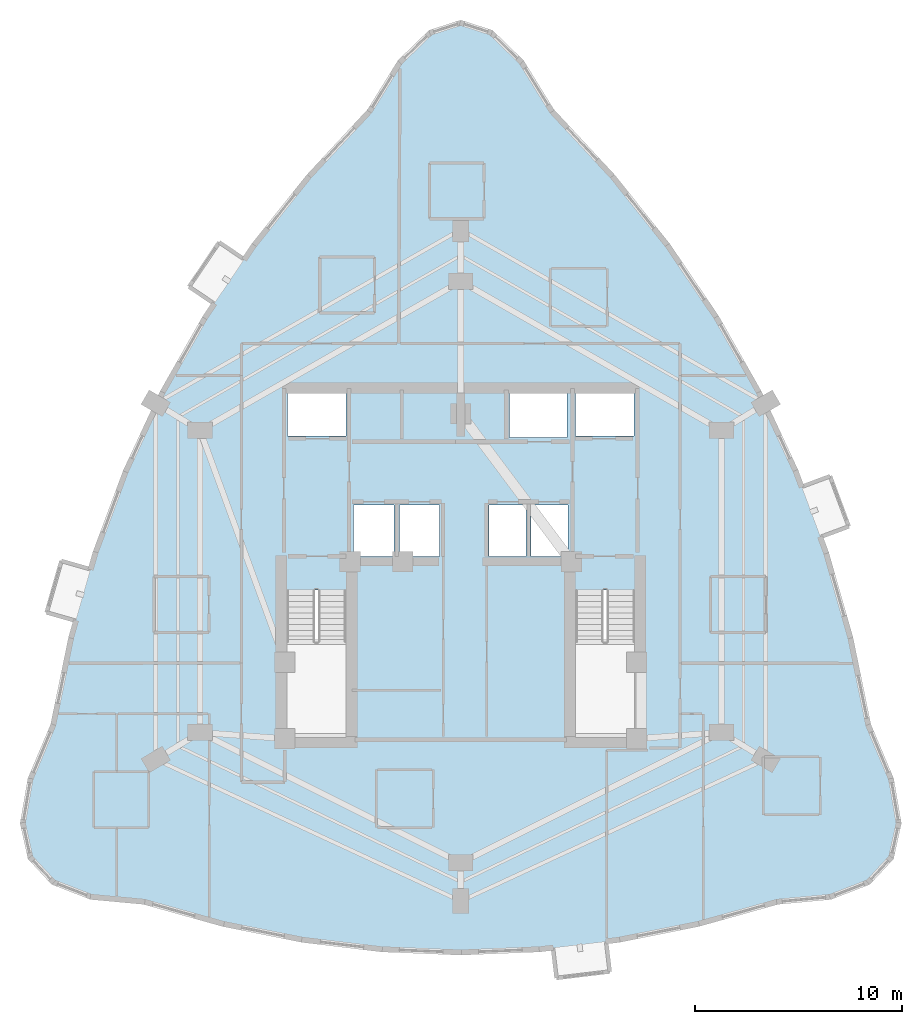
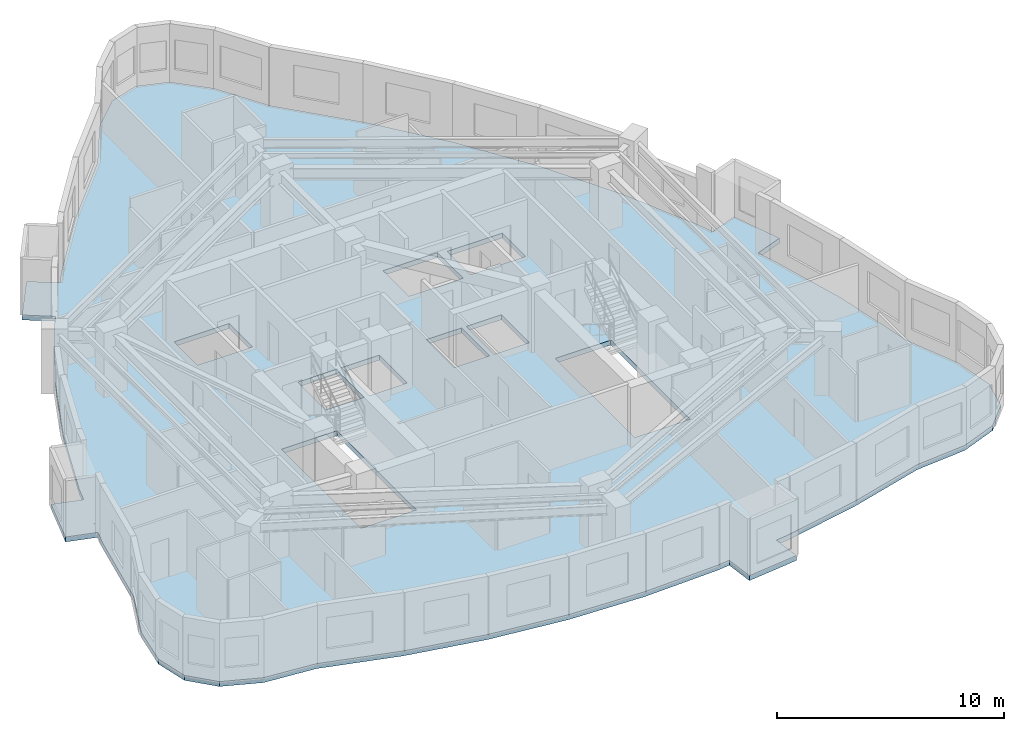
# One storey, part 2 of 10: 1 slab.
"""IFC4 building model written with IfcOpenShell, lengths in metres."""

import ifcopenshell
import ifcopenshell.guid

model = None  # the IFC model being written
_history = None  # IfcOwnerHistory: only IFC2X3 demands one
_inside = {}  # id of a spatial element -> (the spatial element, [elements in it])
_under = {}  # id of a project, library or spatial element -> (it, [spatial elements below it])
_declared = {}  # id of a project -> (the project, [libraries it declares])
_typed = {}  # id of a type object -> (the type object, [elements of that type])
_made_of = {}  # id of a material, layer set ... -> (it, [elements and type objects made of it])


def new_model(schema):
    """Start an empty IFC model of exactly this schema.

    Asked for "IFC4X3", IfcOpenShell would pick the latest addendum, in which some entities
    have other attributes; the version numbers below select the first issue.
    IFC2X3 requires an IfcOwnerHistory on every rooted entity: one is made here for all.
    """
    global model, _history
    if schema == "IFC4X3":
        model = ifcopenshell.file(schema_version=(4, 3, 0, 0))
    else:
        model = ifcopenshell.file(schema=schema)
    _inside.clear()
    _under.clear()
    _declared.clear()
    _typed.clear()
    _made_of.clear()
    _history = None
    if model.schema == "IFC2X3":
        org = make("IfcOrganization", Name="unknown")
        user = make(
            "IfcPersonAndOrganization",
            ThePerson=make("IfcPerson", FamilyName="unknown"),
            TheOrganization=org,
        )
        app = make(
            "IfcApplication",
            ApplicationDeveloper=org,
            Version="unknown",
            ApplicationFullName="unknown",
            ApplicationIdentifier="unknown",
        )
        _history = make(
            "IfcOwnerHistory",
            OwningUser=user,
            OwningApplication=app,
            ChangeAction="ADDED",
            CreationDate=0,
        )
    return model


def make(cls, **values):
    """One entity of the class cls with the attributes given. An attribute that is None is left unset."""
    return model.create_entity(
        cls, **{name: value for name, value in values.items() if value is not None}
    )


def rooted(cls, **values):
    """An entity with a GlobalId (a new one), such as an element, a storey or a relation."""
    return make(cls, GlobalId=ifcopenshell.guid.new(), OwnerHistory=_history, **values)


def si_unit(unit_type, name, prefix=None):
    """IfcSIUnit, for example si_unit("LENGTHUNIT", "METRE", prefix="MILLI")."""
    return make("IfcSIUnit", UnitType=unit_type, Prefix=prefix, Name=name)


def assignment(units):
    """IfcUnitAssignment: the units of a project."""
    return None if units is None else make("IfcUnitAssignment", Units=units)


def point(xyz):
    """IfcCartesianPoint."""
    return None if xyz is None else make("IfcCartesianPoint", Coordinates=xyz)


def direction(xyz):
    """IfcDirection."""
    return None if xyz is None else make("IfcDirection", DirectionRatios=xyz)


def frame(location, z_axis=None, x_axis=None):
    """IfcAxis2Placement3D, a coordinate frame: its origin and axes. An axis left out is left unset."""
    return make(
        "IfcAxis2Placement3D",
        Location=point(location),
        Axis=direction(z_axis),
        RefDirection=direction(x_axis),
    )


def origin():
    """The frame at (0, 0, 0) with its axes left unset."""
    return frame((0.0, 0.0, 0.0))


def place(relative_to, where):
    """IfcLocalPlacement: puts the frame where relative to a parent placement (None: the world)."""
    return make(
        "IfcLocalPlacement", PlacementRelTo=relative_to, RelativePlacement=where
    )


def context(
    kind, dimensions, precision=None, world=None, true_north=None, identifier=None
):
    """IfcGeometricRepresentationContext, for example the 3D "Model" context."""
    return make(
        "IfcGeometricRepresentationContext",
        ContextIdentifier=identifier,
        ContextType=kind,
        CoordinateSpaceDimension=dimensions,
        Precision=precision,
        WorldCoordinateSystem=world,
        TrueNorth=true_north,
    )


def subcontext(parent, identifier, kind, view, scale=None):
    """IfcGeometricRepresentationSubContext, for example "Body" below "Model"."""
    return make(
        "IfcGeometricRepresentationSubContext",
        ContextIdentifier=identifier,
        ContextType=kind,
        ParentContext=parent,
        TargetScale=scale,
        TargetView=view,
    )


def project(units=None, contexts=None):
    """IfcProject with its units and contexts."""
    return rooted(
        "IfcProject",
        Name="project",
        RepresentationContexts=contexts,
        UnitsInContext=assignment(units),
    )


def spatial(cls, under=None, at=None, **own):
    """A site, building, storey or space (cls), placed at a placement, below another one or the project."""
    s = rooted(cls, ObjectPlacement=at, **own)
    if under is not None:
        _under.setdefault(under.id(), (under, []))[1].append(s)
    return s


def polyline(points):
    """IfcPolyline through the points."""
    return make("IfcPolyline", Points=[point(p) for p in points])


def outline(outer, holes=None, kind="AREA"):
    """IfcArbitraryClosedProfileDef: a profile drawn as a closed curve; with holes, ...WithVoids."""
    if holes is None:
        return make("IfcArbitraryClosedProfileDef", ProfileType=kind, OuterCurve=outer)
    return make(
        "IfcArbitraryProfileDefWithVoids",
        ProfileType=kind,
        OuterCurve=outer,
        InnerCurves=holes,
    )


def extrude(swept, where, along, depth):
    """IfcExtrudedAreaSolid: the profile swept, set in the frame where, extruded along a direction by depth."""
    return make(
        "IfcExtrudedAreaSolid",
        SweptArea=swept,
        Position=where,
        ExtrudedDirection=direction(along),
        Depth=depth,
    )


def shape(context_of_items, identifier, shape_type, items):
    """IfcShapeRepresentation: the items that make up one representation, for example the "Body"."""
    return make(
        "IfcShapeRepresentation",
        ContextOfItems=context_of_items,
        RepresentationIdentifier=identifier,
        RepresentationType=shape_type,
        Items=items,
    )


def material(Name=None, Category=None):
    """IfcMaterial."""
    return make("IfcMaterial", Name=Name, Category=Category)


def layer(
    of_material, thickness, ventilated=None, Name=None, Category=None, Priority=None
):
    """IfcMaterialLayer: one layer of a wall or slab, of a material (None: an air gap)."""
    return make(
        "IfcMaterialLayer",
        Material=of_material,
        LayerThickness=thickness,
        IsVentilated=ventilated,
        Name=Name,
        Category=Category,
        Priority=Priority,
    )


def layer_set(layers, Name=None):
    """IfcMaterialLayerSet."""
    return make("IfcMaterialLayerSet", MaterialLayers=layers, LayerSetName=Name)


def made_of(thing, what):
    """Note that an element or type object is made of a material, layer set ...; save() writes the relation."""
    if what is not None:
        _made_of.setdefault(what.id(), (what, []))[1].append(thing)
    return thing


def type_object(cls, material=None, **own):
    """A type object (cls), such as IfcWallType, which elements share."""
    return made_of(rooted(cls, **own), material)


def element(
    cls,
    number,
    at=None,
    inside=None,
    cuts=None,
    type_object=None,
    material=None,
    context=None,
    identifier="Body",
    shape_type=None,
    held_by="IfcProductDefinitionShape",
    body=None,
    shapes=None,
    **own,
):
    """One element of the class cls, such as IfcWall. Its Tag is "e" and its number.

    at: its placement. inside: the storey or other place that contains it. cuts: it is an
    opening in that element (IfcRelVoidsElement). A single representation is given by context,
    identifier, shape_type and body (its items); several are given by shapes. held_by: the class
    of the entity that holds the representations. save() writes the other relations.
    """
    e = rooted(cls, Tag="e%d" % number, ObjectPlacement=at, **own)
    if body is not None:
        shapes = [shape(context, identifier, shape_type, body)]
    if shapes is not None:
        e.Representation = make(held_by, Representations=shapes)
    if inside is not None:
        _inside.setdefault(inside.id(), (inside, []))[1].append(e)
    if cuts is not None:
        rooted(
            "IfcRelVoidsElement", RelatingBuildingElement=cuts, RelatedOpeningElement=e
        )
    if type_object is not None:
        _typed.setdefault(type_object.id(), (type_object, []))[1].append(e)
    return made_of(e, material)


def aggregate(whole, parts):
    """IfcRelAggregates: a whole, such as a stair, and the parts it consists of."""
    return rooted("IfcRelAggregates", RelatingObject=whole, RelatedObjects=parts)


def save(model, path):
    """Write the relations noted so far, then the file.

    IfcRelAggregates (storeys below a building ...), IfcRelContainedInSpatialStructure (elements
    in a storey), IfcRelDefinesByType, IfcRelAssociatesMaterial and IfcRelDeclares: one each for
    every whole, place, type object, material and project.
    """
    for whole, parts in _under.values():
        aggregate(whole, parts)
    for where, things in _inside.values():
        rooted(
            "IfcRelContainedInSpatialStructure",
            RelatedElements=things,
            RelatingStructure=where,
        )
    for kind, things in _typed.values():
        rooted("IfcRelDefinesByType", RelatedObjects=things, RelatingType=kind)
    for what, things in _made_of.values():
        rooted("IfcRelAssociatesMaterial", RelatedObjects=things, RelatingMaterial=what)
    for by, libraries in _declared.values():
        rooted("IfcRelDeclares", RelatingContext=by, RelatedDefinitions=libraries)
    model.write(path)


model = new_model("IFC4")

# Units and contexts
model_context = context("Model", 3, precision=1e-05, world=origin(), true_north=direction((0.0, 1.0)))
body_context = subcontext(model_context, "Body", "Model", "MODEL_VIEW")
ifc_project = project(units=[si_unit("LENGTHUNIT", "METRE"), si_unit("AREAUNIT", "SQUARE_METRE"), si_unit("VOLUMEUNIT", "CUBIC_METRE"), si_unit("PLANEANGLEUNIT", "RADIAN"), si_unit("MASSUNIT", "GRAM", prefix="KILO")], contexts=[model_context])

# Site, building, storey
site_placement = place(None, origin())
site = spatial("IfcSite", under=ifc_project, at=site_placement, CompositionType="ELEMENT")
building_placement = place(site_placement, origin())
building = spatial("IfcBuilding", under=site, at=building_placement, Name="Miruveldt Soraemaru", CompositionType="ELEMENT")
storey_placement = place(building_placement, frame((0.0, 0.0, 173.89990234375)))
storey = spatial("IfcBuildingStorey", under=building, at=storey_placement, Name="L48", CompositionType="ELEMENT", Elevation=173.89990234375)

# Slab
ifc_material = material(Name="Concrete C40/50 (40 MPa)", Category="concrete")
ifc_layer = layer(ifc_material, 0.264892578125, Name="Concrete C40/50 (40 MPa)", Category="concrete")
ifc_layer_set = layer_set([ifc_layer], Name="Concrete C40/50 (40 MPa)")
slab_type = type_object("IfcSlabType", Name="SLAB-RES2-265", PredefinedType="FLOOR", material=ifc_layer_set)
slab_placement = place(storey_placement, frame((0.0, 0.0, -0.264892578125)))
element("IfcSlab", 1, at=slab_placement, inside=storey, type_object=slab_type, Name="L48 Structural Floor Slab", PredefinedType="FLOOR", context=body_context, shape_type="SweptSolid", body=[
    extrude(outline(polyline([(48.62451171875, 23.930908203125), (48.447998046875, 25.400390625), (47.825927734375, 25.32568359375), (44.0, 25.172607421875), (40.174072265625, 25.32568359375), (36.348388671875, 25.78466796875), (32.5224609375, 26.5498046875), (28.696533203125, 27.62109375), (26.133056640625, 27.85791015625), (24.302001953125, 28.568359375), (23.20361328125, 29.752197265625), (22.83740234375, 31.409912109375), (23.20361328125, 33.541015625), (24.302001953125, 36.14599609375), (25.176025390625, 40.392333984375), (25.761474609375, 42.439208984375), (25.40380859375, 41.189208984375), (23.98095703125, 41.59619140625), (24.696044921875, 44.095947265625), (26.118896484375, 43.68896484375), (26.3466796875, 44.48583984375), (27.814453125, 48.42626953125), (29.578857421875, 52.213623046875), (31.64013671875, 55.84814453125), (32.8193359375, 57.588623046875), (32.090087890625, 56.512451171875), (30.864990234375, 57.342529296875), (32.3232421875, 59.4951171875), (33.54833984375, 58.6650390625), (33.99853515625, 59.329345703125), (36.653564453125, 62.65771484375), (39.605712890625, 65.8330078125), (41.0703125, 68.200927734375), (42.53515625, 69.621826171875), (44.0, 70.095458984375), (45.46484375, 69.621826171875), (46.9296875, 68.200927734375), (48.394287109375, 65.8330078125), (51.346435546875, 62.65771484375), (54.00146484375, 59.329345703125), (56.35986328125, 55.84814453125), (58.421142578125, 52.213623046875), (60.185546875, 48.42626953125), (60.91943359375, 46.4560546875), (60.4658203125, 47.67431640625), (61.8525390625, 48.19091796875), (62.760009765625, 45.75439453125), (61.373046875, 45.23779296875), (61.6533203125, 44.48583984375), (62.823974609375, 40.392333984375), (63.697998046875, 36.14599609375), (64.79638671875, 33.541015625), (65.16259765625, 31.409912109375), (64.79638671875, 29.752197265625), (63.697998046875, 28.568359375), (61.866943359375, 27.85791015625), (59.303466796875, 27.62109375), (55.4775390625, 26.5498046875), (51.651611328125, 25.78466796875), (49.73876953125, 25.55517578125), (51.029541015625, 25.7099609375), (51.205810546875, 24.240478515625), (48.62451171875, 23.930908203125)]), holes=[polyline([(35.614990234375, 35.6650390625), (38.43505859375, 35.6650390625), (38.43505859375, 42.68505859375), (35.614990234375, 42.68505859375), (35.614990234375, 35.6650390625)]), polyline([(49.56494140625, 35.6650390625), (52.385009765625, 35.6650390625), (52.385009765625, 42.68505859375), (49.56494140625, 42.68505859375), (49.56494140625, 35.6650390625)]), polyline([(40.764892578125, 44.31494140625), (40.764892578125, 46.784912109375), (38.81494140625, 46.784912109375), (38.81494140625, 44.31494140625), (40.764892578125, 44.31494140625)]), polyline([(42.965087890625, 44.31494140625), (42.965087890625, 46.784912109375), (41.034912109375, 46.784912109375), (41.034912109375, 44.31494140625), (42.965087890625, 44.31494140625)]), polyline([(47.1650390625, 44.31494140625), (47.1650390625, 46.784912109375), (45.364990234375, 46.784912109375), (45.364990234375, 44.31494140625), (47.1650390625, 44.31494140625)]), polyline([(49.18505859375, 44.31494140625), (49.18505859375, 46.784912109375), (47.39501953125, 46.784912109375), (47.39501953125, 44.31494140625), (49.18505859375, 44.31494140625)]), polyline([(38.445068359375, 50.135009765625), (38.445068359375, 52.205078125), (35.635009765625, 52.205078125), (35.635009765625, 50.135009765625), (38.445068359375, 50.135009765625)]), polyline([(49.554931640625, 50.135009765625), (52.364990234375, 50.135009765625), (52.364990234375, 52.205078125), (49.554931640625, 52.205078125), (49.554931640625, 50.135009765625)]), polyline([(46.364990234375, 50.06494140625), (49.135009765625, 50.06494140625), (49.135009765625, 52.3349609375), (46.364990234375, 52.3349609375), (46.364990234375, 50.06494140625)])]), origin(), (0.0, 0.0, 1.0), 0.264892578125),
])

save(model, "model.ifc")
